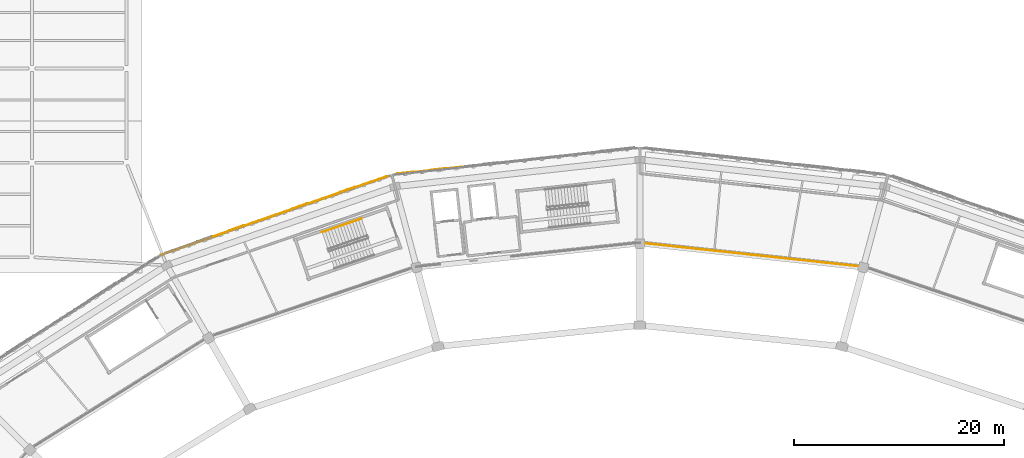
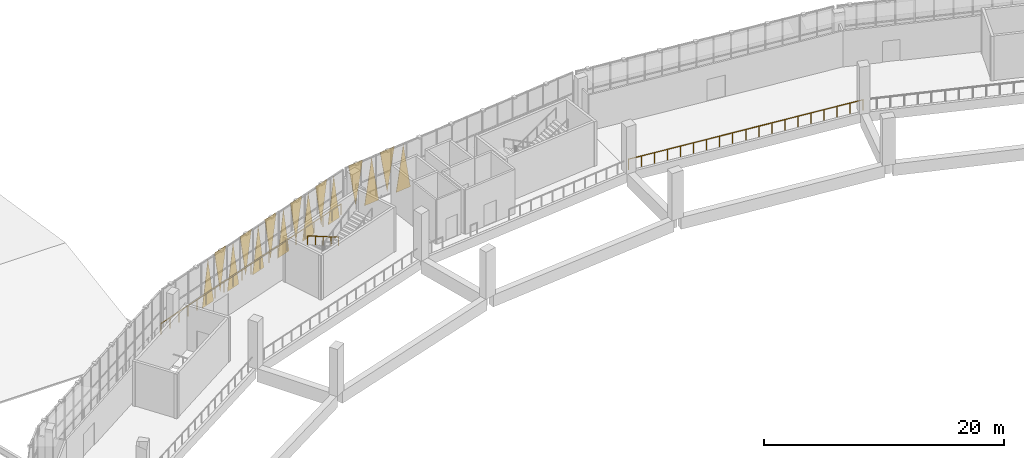
# One storey, part 101 of 108: 15 coverings, 3 railings.
"""IFC4 building model written with IfcOpenShell, lengths in metres."""

from ifc_helpers import new_model, si_unit, direction, frame, origin, origin_2d, place, context, subcontext, project, spatial, polyline, circle, outline, extrude, material, layer, layer_set, type_object, element, save


model = new_model("IFC4")

# Units and contexts
model_context = context("Model", 3, precision=1e-05, world=origin(), true_north=direction((0.0, 1.0)))
body_context = subcontext(model_context, "Body", "Model", "MODEL_VIEW")
ifc_project = project(units=[si_unit("LENGTHUNIT", "METRE"), si_unit("AREAUNIT", "SQUARE_METRE"), si_unit("VOLUMEUNIT", "CUBIC_METRE"), si_unit("PLANEANGLEUNIT", "RADIAN"), si_unit("MASSUNIT", "GRAM", prefix="KILO")], contexts=[model_context])

# Site, building, storey
site_placement = place(None, origin())
site = spatial("IfcSite", under=ifc_project, at=site_placement, CompositionType="ELEMENT")
building_placement = place(site_placement, origin())
building = spatial("IfcBuilding", under=site, at=building_placement, Name="Zevraka Park Crest Stadium", CompositionType="ELEMENT")
storey_placement = place(building_placement, frame((0.0, 0.0, 19.800048828125)))
storey = spatial("IfcBuildingStorey", under=building, at=storey_placement, Name="L04", CompositionType="ELEMENT", Elevation=19.800048828125)

# Coverings
ifc_material_1 = material(Name="Architectural golden-bronze perforated aluminium", Category="aluminium")
ifc_layer = layer(ifc_material_1, 0.034912109375)
ifc_layer_set = layer_set([ifc_layer], Name="Architectural golden-bronze perforated aluminium")
covering_type = type_object("IfcCoveringType", Name="CLD01", PredefinedType="CLADDING", material=ifc_layer_set)
covering_1_placement = place(storey_placement, frame((95.196044921875, 166.64990234375, -0.219970703125), z_axis=(-0.108943553781, 0.994047934571, 7.6581914e-05), x_axis=(-0.994047937486, -0.1089435541, 0.0)))
element("IfcCovering", 1, at=covering_1_placement, inside=storey, type_object=covering_type, Name="Triangular Golden-Bronze Perforated Cladding L04-06-11", PredefinedType="CLADDING", context=body_context, shape_type="SweptSolid", body=[
    extrude(outline(polyline([(0.0, 0.0), (1.476807629456759, 1.6940658945086007e-21), (0.73856505479183, 4.579833997804882), (0.0, 0.0)])), origin(), (0.0, 0.0, -1.0), 0.034912109375),
])
covering_2_placement = place(storey_placement, frame((92.10009765625, 166.30908203125, 4.52001953125), z_axis=(0.109524916969, -0.993984050376, 1.2671307e-05), x_axis=(0.993984050456, 0.109524916977, 0.0)))
element("IfcCovering", 2, at=covering_2_placement, inside=storey, type_object=covering_type, Name="Triangular Golden-Bronze Perforated Cladding L04-06-12", PredefinedType="CLADDING", context=body_context, shape_type="SweptSolid", body=[
    extrude(outline(polyline([(0.0, 0.0), (1.477885022351149, 0.0), (0.7383224617164366, -4.300048828470214), (0.0, 0.0)])), origin(), (0.0, 0.0, -1.0), 0.034912109375),
])
covering_3_placement = place(storey_placement, frame((91.94091796875, 166.2919921875, -0.219970703125), z_axis=(-0.109688126845, 0.99396605305, 1.4618067e-05), x_axis=(-0.993966053156, -0.109688126857, 0.0)))
element("IfcCovering", 3, at=covering_3_placement, inside=storey, type_object=covering_type, Name="Triangular Golden-Bronze Perforated Cladding L04-06-13", PredefinedType="CLADDING", context=body_context, shape_type="SweptSolid", body=[
    extrude(outline(polyline([(0.0, 0.0), (1.477911781756094, 4.235164736271502e-22), (0.7383492221444313, 4.579833984864329), (0.0, 0.0)])), origin(), (0.0, 0.0, -1.0), 0.034912109375),
])
covering_4_placement = place(storey_placement, frame((88.844970703125, 165.950927734375, 4.52001953125), z_axis=(0.109760215407, -0.993958095246, 3.115886e-06), x_axis=(0.99395809525, 0.109760215408, 0.0)))
element("IfcCovering", 4, at=covering_4_placement, inside=storey, type_object=covering_type, Name="Triangular Golden-Bronze Perforated Cladding L04-06-14", PredefinedType="CLADDING", context=body_context, shape_type="SweptSolid", body=[
    extrude(outline(polyline([(0.0, 0.0), (1.4769411156667285, 0.0), (0.7385918906086634, -4.300048828145875), (0.0, 0.0)])), origin(), (0.0, 0.0, -1.0), 0.034912109375),
])
covering_5_placement = place(storey_placement, frame((87.81689453125, 165.719970703125, -0.219970703125), z_axis=(-0.327569380281, 0.944827118034, 0.000134647502), x_axis=(-0.944827126599, -0.327569383251, 0.0)))
element("IfcCovering", 5, at=covering_5_placement, inside=storey, type_object=covering_type, Name="Triangular Golden-Bronze Perforated Cladding L04-07-1", PredefinedType="CLADDING", context=body_context, shape_type="SweptSolid", body=[
    extrude(outline(polyline([(0.0, 0.0), (1.4436648075350447, 0.0), (0.7219170009098143, 4.579834025891081), (0.0, 0.0)])), origin(), (0.0, 0.0, -1.0), 0.034912109375),
])
covering_6_placement = place(storey_placement, frame((84.93701171875, 164.721923828125, 4.52001953125), z_axis=(-0.327511027128, 0.944847343999, 0.000153776884), x_axis=(0.944847355171, 0.327511031, 0.0)))
element("IfcCovering", 6, at=covering_6_placement, inside=storey, type_object=covering_type, Name="Triangular Golden-Bronze Perforated Cladding L04-07-2", PredefinedType="CLADDING", context=body_context, shape_type="SweptSolid", body=[
    extrude(outline(polyline([(0.0, 0.0), (1.4446674660249328, 0.0), (0.7219169614485192, 4.300048878967339), (0.0, 0.0)])), origin(), (0.0, 0.0, -1.0), 0.034912109375),
])
covering_7_placement = place(storey_placement, frame((84.785888671875, 164.669921875, -0.219970703125), z_axis=(0.327621727987, -0.944808968785, 0.00012591409), x_axis=(-0.944808976275, -0.327621730584, 0.0)))
element("IfcCovering", 7, at=covering_7_placement, inside=storey, type_object=covering_type, Name="Triangular Golden-Bronze Perforated Cladding L04-07-3", PredefinedType="CLADDING", context=body_context, shape_type="SweptSolid", body=[
    extrude(outline(polyline([(0.0, 0.0), (1.4434341390652787, -6.776263578034403e-21), (0.7215171050974682, -4.579834020680166), (0.0, 0.0)])), origin(), (0.0, 0.0, -1.0), 0.034912109375),
])
covering_8_placement = place(storey_placement, frame((81.906005859375, 163.673095703125, 4.52001953125), z_axis=(-0.326756380834, 0.945108600745, 1.9550142e-05), x_axis=(0.945108600926, 0.326756380896, 0.0)))
element("IfcCovering", 8, at=covering_8_placement, inside=storey, type_object=covering_type, Name="Triangular Golden-Bronze Perforated Cladding L04-07-4", PredefinedType="CLADDING", context=body_context, shape_type="SweptSolid", body=[
    extrude(outline(polyline([(0.0, 0.0), (1.4442681328241207, -1.6940658945086007e-21), (0.7215173306472258, 4.300048828946757), (0.0, 0.0)])), origin(), (0.0, 0.0, -1.0), 0.034912109375),
])
covering_9_placement = place(storey_placement, frame((81.7548828125, 163.6201171875, -0.219970703125), z_axis=(-0.327168665481, 0.944965959348, 0.0), x_axis=(-0.944965959348, -0.327168665481, 0.0)))
element("IfcCovering", 9, at=covering_9_placement, inside=storey, type_object=covering_type, Name="Triangular Golden-Bronze Perforated Cladding L04-07-5", PredefinedType="CLADDING", context=body_context, shape_type="SweptSolid", body=[
    extrude(outline(polyline([(0.0, 0.0), (1.4431943476466869, 0.0), (0.7215971738233434, 4.579833984375), (0.0, 0.0)])), origin(), (0.0, 0.0, -1.0), 0.034912109375),
])
covering_10_placement = place(storey_placement, frame((78.875, 162.623046875, 4.52001953125), z_axis=(0.32696531961, -0.945036337642, 1.7545876e-05), x_axis=(0.945036337788, 0.326965319661, 0.0)))
element("IfcCovering", 10, at=covering_10_placement, inside=storey, type_object=covering_type, Name="Triangular Golden-Bronze Perforated Cladding L04-07-6", PredefinedType="CLADDING", context=body_context, shape_type="SweptSolid", body=[
    extrude(outline(polyline([(0.0, 0.0), (1.443345210479487, 0.0), (0.7215173315999183, -4.3000488287869025), (0.0, 0.0)])), origin(), (0.0, 0.0, -1.0), 0.034912109375),
])
covering_11_placement = place(storey_placement, frame((78.72412109375, 162.571044921875, -0.219970703125), z_axis=(-0.327720335055, 0.944774773969, 9.1992611e-05), x_axis=(-0.944774777967, -0.327720336442, 0.0)))
element("IfcCovering", 11, at=covering_11_placement, inside=storey, type_object=covering_type, Name="Triangular Golden-Bronze Perforated Cladding L04-07-7", PredefinedType="CLADDING", context=body_context, shape_type="SweptSolid", body=[
    extrude(outline(polyline([(0.0, 0.0), (1.4437447989564163, 0.0), (0.7221477481261248, 4.579834003753744), (0.0, 0.0)])), origin(), (0.0, 0.0, -1.0), 0.034912109375),
])
covering_12_placement = place(storey_placement, frame((75.843994140625, 161.572998046875, 4.52001953125), z_axis=(-0.327569379882, 0.944827116883, 0.000143408419), x_axis=(0.944827126599, 0.327569383251, 0.0)))
element("IfcCovering", 12, at=covering_12_placement, inside=storey, type_object=covering_type, Name="Triangular Golden-Bronze Perforated Cladding L04-07-8", PredefinedType="CLADDING", context=body_context, shape_type="SweptSolid", body=[
    extrude(outline(polyline([(0.0, 0.0), (1.4436648075350447, -1.3552527156068805e-20), (0.7219170009098143, 4.300048872342348), (0.0, 0.0)])), origin(), (0.0, 0.0, -1.0), 0.034912109375),
])
covering_13_placement = place(storey_placement, frame((75.693115234375, 161.52099609375, -0.219970703125), z_axis=(-0.326965319616, 0.945036337659, 1.6473986e-05), x_axis=(-0.945036337788, -0.326965319661, 0.0)))
element("IfcCovering", 13, at=covering_13_placement, inside=storey, type_object=covering_type, Name="Triangular Golden-Bronze Perforated Cladding L04-07-9", PredefinedType="CLADDING", context=body_context, shape_type="SweptSolid", body=[
    extrude(outline(polyline([(0.0, 0.0), (1.4433452104794873, 8.470329472543003e-22), (0.7218278788795688, 4.5798339849964655), (0.0, 0.0)])), origin(), (0.0, 0.0, -1.0), 0.034912109375),
])
covering_14_placement = place(storey_placement, frame((72.81298828125, 160.52392578125, 4.52001953125), z_axis=(0.327116373156, -0.944984062473, 9.28622e-06), x_axis=(0.944984062513, 0.32711637317, 0.0)))
element("IfcCovering", 14, at=covering_14_placement, inside=storey, type_object=covering_type, Name="Triangular Golden-Bronze Perforated Cladding L04-07-10", PredefinedType="CLADDING", context=body_context, shape_type="SweptSolid", body=[
    extrude(outline(polyline([(0.0, 0.0), (1.4434250544366414, 0.0), (0.7218278817181392, -4.3000488283104055), (0.0, 0.0)])), origin(), (0.0, 0.0, -1.0), 0.034912109375),
])
covering_15_placement = place(storey_placement, frame((72.662109375, 160.470947265625, -0.219970703125), z_axis=(-0.326756380896, 0.945108600925, 9.37165e-07), x_axis=(-0.945108600926, -0.326756380896, 0.0)))
element("IfcCovering", 15, at=covering_15_placement, inside=storey, type_object=covering_type, Name="Triangular Golden-Bronze Perforated Cladding L04-07-11", PredefinedType="CLADDING", context=body_context, shape_type="SweptSolid", body=[
    extrude(outline(polyline([(0.0, 0.0), (1.4442681328241207, 0.0), (0.7217480700517487, 4.579833984377012), (0.0, 0.0)])), origin(), (0.0, 0.0, -1.0), 0.034912109375),
])

# Railings
ifc_material_2 = material(Name="Galvanised and bronze-finished steel balustrade", Category="steel")
railing_type_1 = type_object("IfcRailingType", Name="GR01", PredefinedType="GUARDRAIL", material=ifc_material_2)
railing_1_placement = place(storey_placement, frame((66.281005859375, 158.18798828125, 0.0)))
element("IfcRailing", 16, at=railing_1_placement, inside=storey, type_object=railing_type_1, Name="Deck Edge Protection Guardrail GR01 L04-5", PredefinedType="GUARDRAIL", context=body_context, shape_type="SweptSolid", body=[
    extrude(circle(Radius=0.02392578125, at=origin_2d()), frame((0.0, 0.0, 1.076171875), z_axis=(0.94495082616, 0.327212371618, 0.0), x_axis=(-0.327212371618, 0.94495082616, 0.0)), (0.0, 0.0, 1.0), 22.97900390625),
    extrude(circle(Radius=0.02099609375, at=origin_2d()), origin(), (0.0, 0.0, 1.0), 1.052001953125),
    extrude(circle(Radius=0.02099609375, at=origin_2d()), frame((1.085693359375, 0.3759765625, 0.0)), (0.0, 0.0, 1.0), 1.052001953125),
    extrude(circle(Radius=0.02099609375, at=origin_2d()), frame((2.17138671875, 0.751953125, 0.0)), (0.0, 0.0, 1.0), 1.052001953125),
    extrude(circle(Radius=0.02099609375, at=origin_2d()), frame((3.257080078125, 1.1279296875, 0.0)), (0.0, 0.0, 1.0), 1.052001953125),
    extrude(circle(Radius=0.02099609375, at=origin_2d()), frame((4.3427734375, 1.50390625, 0.0)), (0.0, 0.0, 1.0), 1.052001953125),
    extrude(circle(Radius=0.02099609375, at=origin_2d()), frame((5.428466796875, 1.8798828125, 0.0)), (0.0, 0.0, 1.0), 1.052001953125),
    extrude(circle(Radius=0.02099609375, at=origin_2d()), frame((6.51416015625, 2.255615234375, 0.0)), (0.0, 0.0, 1.0), 1.052001953125),
    extrude(circle(Radius=0.02099609375, at=origin_2d()), frame((7.599853515625, 2.631591796875, 0.0)), (0.0, 0.0, 1.0), 1.052001953125),
    extrude(circle(Radius=0.02099609375, at=origin_2d()), frame((8.685546875, 3.007568359375, 0.0)), (0.0, 0.0, 1.0), 1.052001953125),
    extrude(circle(Radius=0.02099609375, at=origin_2d()), frame((9.771240234375, 3.383544921875, 0.0)), (0.0, 0.0, 1.0), 1.052001953125),
    extrude(circle(Radius=0.02099609375, at=origin_2d()), frame((10.85693359375, 3.759521484375, 0.0)), (0.0, 0.0, 1.0), 1.052001953125),
    extrude(circle(Radius=0.02099609375, at=origin_2d()), frame((11.94287109375, 4.135498046875, 0.0)), (0.0, 0.0, 1.0), 1.052001953125),
    extrude(circle(Radius=0.02099609375, at=origin_2d()), frame((13.028564453125, 4.511474609375, 0.0)), (0.0, 0.0, 1.0), 1.052001953125),
    extrude(circle(Radius=0.02099609375, at=origin_2d()), frame((14.1142578125, 4.887451171875, 0.0)), (0.0, 0.0, 1.0), 1.052001953125),
    extrude(circle(Radius=0.02099609375, at=origin_2d()), frame((15.199951171875, 5.263427734375, 0.0)), (0.0, 0.0, 1.0), 1.052001953125),
    extrude(circle(Radius=0.02099609375, at=origin_2d()), frame((16.28564453125, 5.63916015625, 0.0)), (0.0, 0.0, 1.0), 1.052001953125),
    extrude(circle(Radius=0.02099609375, at=origin_2d()), frame((17.371337890625, 6.01513671875, 0.0)), (0.0, 0.0, 1.0), 1.052001953125),
    extrude(circle(Radius=0.02099609375, at=origin_2d()), frame((18.45703125, 6.39111328125, 0.0)), (0.0, 0.0, 1.0), 1.052001953125),
    extrude(circle(Radius=0.02099609375, at=origin_2d()), frame((19.542724609375, 6.76708984375, 0.0)), (0.0, 0.0, 1.0), 1.052001953125),
    extrude(circle(Radius=0.02099609375, at=origin_2d()), frame((20.62841796875, 7.14306640625, 0.0)), (0.0, 0.0, 1.0), 1.052001953125),
    extrude(circle(Radius=0.02099609375, at=origin_2d()), frame((21.714111328125, 7.51904296875, 0.0)), (0.0, 0.0, 1.0), 1.052001953125),
])
railing_2_placement = place(storey_placement, frame((133.305908203125, 157.076904296875, 0.0)))
element("IfcRailing", 17, at=railing_2_placement, inside=storey, type_object=railing_type_1, Name="Deck Edge Protection Guardrail GR01 L04-42", PredefinedType="GUARDRAIL", context=body_context, shape_type="SweptSolid", body=[
    extrude(circle(Radius=0.02392578125, at=origin_2d()), frame((0.0, 0.0, 1.076171875), z_axis=(-0.99425535732, 0.107034034031, 0.0), x_axis=(-0.107034034031, -0.99425535732, 0.0)), (0.0, 0.0, 1.0), 21.425048828125),
    extrude(circle(Radius=0.02099609375, at=origin_2d()), origin(), (0.0, 0.0, 1.0), 1.052001953125),
    extrude(circle(Radius=0.02099609375, at=origin_2d()), frame((-1.183349609375, 0.12744140625, 0.0)), (0.0, 0.0, 1.0), 1.052001953125),
    extrude(circle(Radius=0.02099609375, at=origin_2d()), frame((-2.366943359375, 0.2548828125, 0.0)), (0.0, 0.0, 1.0), 1.052001953125),
    extrude(circle(Radius=0.02099609375, at=origin_2d()), frame((-3.55029296875, 0.38232421875, 0.0)), (0.0, 0.0, 1.0), 1.052001953125),
    extrude(circle(Radius=0.02099609375, at=origin_2d()), frame((-4.73388671875, 0.509521484375, 0.0)), (0.0, 0.0, 1.0), 1.052001953125),
    extrude(circle(Radius=0.02099609375, at=origin_2d()), frame((-5.917236328125, 0.636962890625, 0.0)), (0.0, 0.0, 1.0), 1.052001953125),
    extrude(circle(Radius=0.02099609375, at=origin_2d()), frame((-7.1005859375, 0.764404296875, 0.0)), (0.0, 0.0, 1.0), 1.052001953125),
    extrude(circle(Radius=0.02099609375, at=origin_2d()), frame((-8.2841796875, 0.891845703125, 0.0)), (0.0, 0.0, 1.0), 1.052001953125),
    extrude(circle(Radius=0.02099609375, at=origin_2d()), frame((-9.467529296875, 1.019287109375, 0.0)), (0.0, 0.0, 1.0), 1.052001953125),
    extrude(circle(Radius=0.02099609375, at=origin_2d()), frame((-10.65087890625, 1.146484375, 0.0)), (0.0, 0.0, 1.0), 1.052001953125),
    extrude(circle(Radius=0.02099609375, at=origin_2d()), frame((-11.83447265625, 1.27392578125, 0.0)), (0.0, 0.0, 1.0), 1.052001953125),
    extrude(circle(Radius=0.02099609375, at=origin_2d()), frame((-13.017822265625, 1.4013671875, 0.0)), (0.0, 0.0, 1.0), 1.052001953125),
    extrude(circle(Radius=0.02099609375, at=origin_2d()), frame((-14.201416015625, 1.52880859375, 0.0)), (0.0, 0.0, 1.0), 1.052001953125),
    extrude(circle(Radius=0.02099609375, at=origin_2d()), frame((-15.384765625, 1.65625, 0.0)), (0.0, 0.0, 1.0), 1.052001953125),
    extrude(circle(Radius=0.02099609375, at=origin_2d()), frame((-16.568115234375, 1.78369140625, 0.0)), (0.0, 0.0, 1.0), 1.052001953125),
    extrude(circle(Radius=0.02099609375, at=origin_2d()), frame((-17.751708984375, 1.9111328125, 0.0)), (0.0, 0.0, 1.0), 1.052001953125),
    extrude(circle(Radius=0.02099609375, at=origin_2d()), frame((-18.93505859375, 2.038330078125, 0.0)), (0.0, 0.0, 1.0), 1.052001953125),
    extrude(circle(Radius=0.02099609375, at=origin_2d()), frame((-20.11865234375, 2.165771484375, 0.0)), (0.0, 0.0, 1.0), 1.052001953125),
    extrude(circle(Radius=0.02099609375, at=origin_2d()), frame((-21.302001953125, 2.293212890625, 0.0)), (0.0, 0.0, 1.0), 1.052001953125),
])
ifc_material_3 = material(Name="Brushed stainless steel continuous handrail", Category="steel")
railing_type_2 = type_object("IfcRailingType", Name="HR01", PredefinedType="HANDRAIL", material=ifc_material_3)
railing_3_placement = place(storey_placement, frame((85.43310546875, 161.671875, 0.17138671875)))
element("IfcRailing", 18, at=railing_3_placement, inside=storey, type_object=railing_type_2, Name="L04 ST08 stair handrail 1", PredefinedType="HANDRAIL", context=body_context, shape_type="SweptSolid", body=[
    extrude(circle(Radius=0.02392578125, at=origin_2d()), frame((0.0, 0.0, 0.8759765625), z_axis=(-0.824726794133, -0.282441418206, 0.489951589772), x_axis=(0.32399372979, -0.946059228091, 0.0)), (0.0, 0.0, 1.0), 4.54833984375),
    extrude(circle(Radius=0.02099609375, at=origin_2d()), origin(), (0.0, 0.0, 1.0), 0.851806640625),
    extrude(circle(Radius=0.02099609375, at=origin_2d()), frame((-0.937744140625, -0.3212890625, 0.55712890625)), (0.0, 0.0, 1.0), 0.851806640625),
    extrude(circle(Radius=0.02099609375, at=origin_2d()), frame((-1.87548828125, -0.642333984375, 1.1142578125)), (0.0, 0.0, 1.0), 0.851806640625),
    extrude(circle(Radius=0.02099609375, at=origin_2d()), frame((-2.8134765625, -0.96337890625, 1.67138671875)), (0.0, 0.0, 1.0), 0.851806640625),
    extrude(circle(Radius=0.02099609375, at=origin_2d()), frame((-3.751220703125, -1.28466796875, 2.228515625)), (0.0, 0.0, 1.0), 0.851806640625),
])

save(model, "model.ifc")
